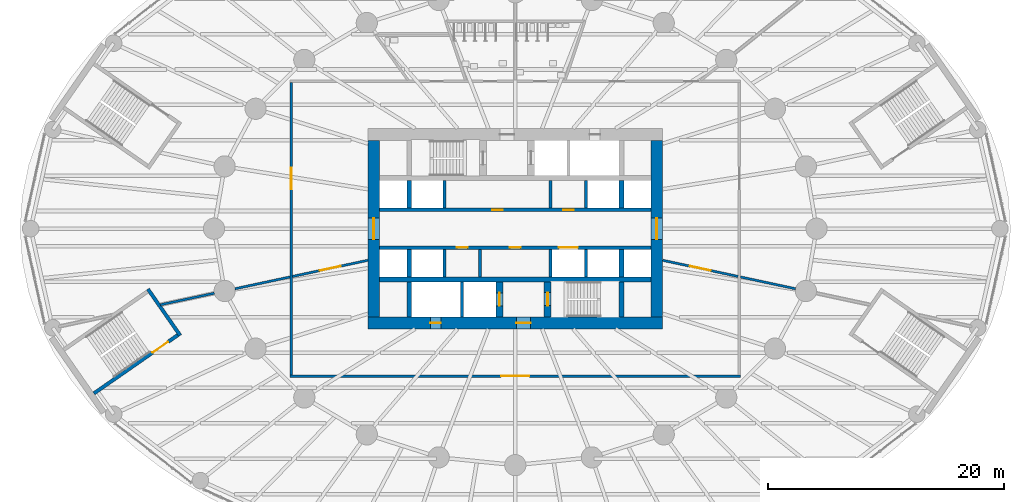
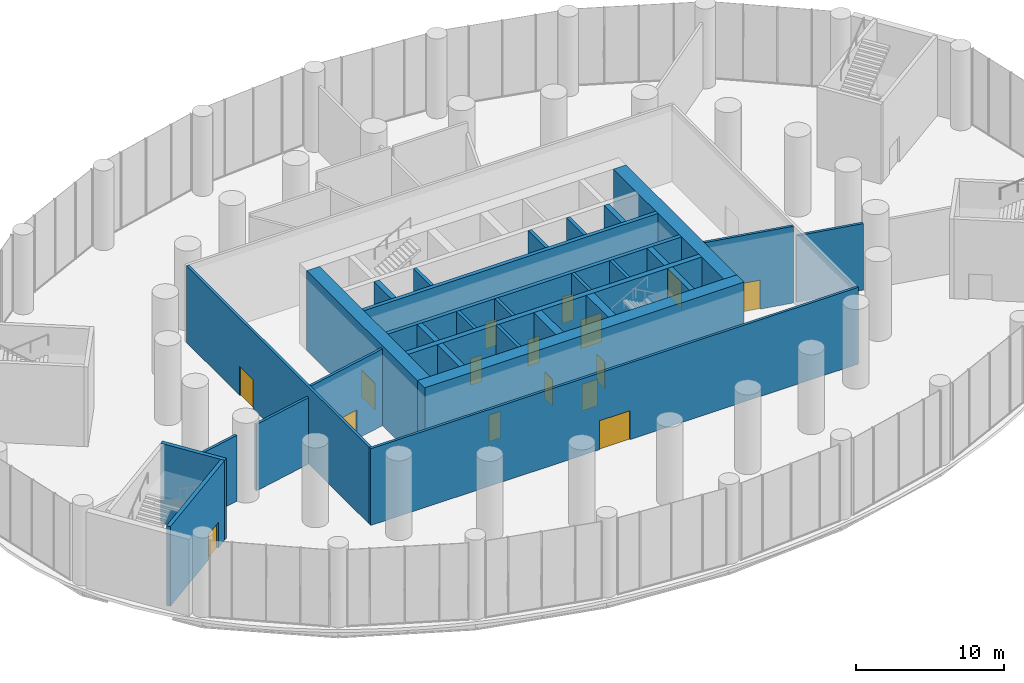
# One storey, part 16 of 22: 31 walls, 16 doors, 16 openings.
"""IFC4 building model written with IfcOpenShell, lengths in metres."""

from ifc_helpers import new_model, si_unit, direction, frame, frame_2d, origin, place, context, subcontext, project, spatial, rectangle, extrude, material, layer, layer_set, type_object, element, fill, save


model = new_model("IFC4")

# Units and contexts
model_context = context("Model", 3, precision=1e-05, world=origin(), true_north=direction((0.0, 1.0)))
body_context = subcontext(model_context, "Body", "Model", "MODEL_VIEW")
ifc_project = project(units=[si_unit("LENGTHUNIT", "METRE"), si_unit("AREAUNIT", "SQUARE_METRE"), si_unit("VOLUMEUNIT", "CUBIC_METRE"), si_unit("PLANEANGLEUNIT", "RADIAN"), si_unit("MASSUNIT", "GRAM", prefix="KILO")], contexts=[model_context])

# Site, building, storey
site_placement = place(None, origin())
site = spatial("IfcSite", under=ifc_project, at=site_placement, CompositionType="ELEMENT")
building_placement = place(site_placement, origin())
building = spatial("IfcBuilding", under=site, at=building_placement, Name="Hankou Lantern Tower", CompositionType="ELEMENT")
storey_placement = place(building_placement, frame((0.0, 0.0, 7.199951171875)))
storey = spatial("IfcBuildingStorey", under=building, at=storey_placement, Name="L01", CompositionType="ELEMENT", Elevation=7.199951171875)

# Wall, openings, doors
ifc_material_1 = material(Name="Concrete C60", Category="concrete")
ifc_layer_1 = layer(ifc_material_1, 1.0)
ifc_layer_set_1 = layer_set([ifc_layer_1], Name="Concrete C60")
wall_type_1 = type_object("IfcWallType", Name="CW1 CORE WALL 1000", PredefinedType="SHEAR", material=ifc_layer_set_1)
wall_1_placement = place(storey_placement, frame((12.5, -8.0, 0.0), z_axis=(0.0, 0.0, 1.0), x_axis=(-1.0, 0.0, 0.0)))
wall_1 = element("IfcWall", 1, at=wall_1_placement, inside=storey, type_object=wall_type_1, Name="Core wall south L01", PredefinedType="SHEAR", context=body_context, shape_type="SweptSolid", body=[
    extrude(rectangle(XDim=25.0, YDim=1.0, at=frame_2d((12.5, 0.0))), origin(), (0.0, 0.0, 1.0), 6.60009765625),
])
opening_1_placement = place(wall_1_placement, frame((11.199951171875, 0.0, 0.0)))
opening_1 = element("IfcOpeningElement", 2, at=opening_1_placement, cuts=wall_1, Name="Opening D5", PredefinedType="OPENING", context=body_context, shape_type="SweptSolid", body=[
    extrude(rectangle(XDim=1.199951171875, YDim=2.199951171875, at=frame_2d((0.60009765625, 1.10009765625))), frame((0.0, 0.510009765625, 0.0), z_axis=(0.0, -1.0, 0.0), x_axis=(1.0, 0.0, 0.0)), (0.0, 0.0, 1.0), 1.02001953125),
])
opening_2_placement = place(wall_1_placement, frame((18.800048828125, 0.0, 0.0)))
opening_2 = element("IfcOpeningElement", 3, at=opening_2_placement, cuts=wall_1, Name="Opening D7", PredefinedType="OPENING", context=body_context, shape_type="SweptSolid", body=[
    extrude(rectangle(XDim=0.89990234375, YDim=2.199951171875, at=frame_2d((0.449951171875, 1.10009765625))), frame((0.0, 0.510009765625, 0.0), z_axis=(0.0, -1.0, 0.0), x_axis=(1.0, 0.0, 0.0)), (0.0, 0.0, 1.0), 1.02001953125),
])
ifc_material_2 = material(Name="Steel door leaf", Category="steel")
door_type_1 = type_object("IfcDoorType", Name="D5 STAIR LOBBY DOOR 1200X2200", OperationType="SINGLE_SWING_LEFT", PredefinedType="DOOR", material=ifc_material_2)
door_1_placement = place(opening_1_placement, origin())
door_1 = element("IfcDoor", 4, at=door_1_placement, inside=storey, type_object=door_type_1, Name="Stair B lobby door", OperationType="SINGLE_SWING_LEFT", OverallHeight=2.199951171875, OverallWidth=1.199951171875, PredefinedType="DOOR", context=body_context, shape_type="SweptSolid", body=[
    extrude(rectangle(XDim=1.199951171875, YDim=2.199951171875, at=frame_2d((0.60009765625, 1.10009765625))), frame((0.0, 0.02490234375, 0.0), z_axis=(0.0, -1.0, 0.0), x_axis=(1.0, 0.0, 0.0)), (0.0, 0.0, 1.0), 0.050048828125),
])
fill(opening_1, door_1)
ifc_material_3 = material(Name="Steel door leaf", Category="steel")
door_type_2 = type_object("IfcDoorType", Name="D7 RISER DOOR 900X2200", OperationType="SINGLE_SWING_LEFT", PredefinedType="DOOR", material=ifc_material_3)
door_2_placement = place(opening_2_placement, origin())
door_2 = element("IfcDoor", 5, at=door_2_placement, inside=storey, type_object=door_type_2, Name="Riser S1 door", OperationType="SINGLE_SWING_RIGHT", OverallHeight=2.199951171875, OverallWidth=0.89990234375, PredefinedType="DOOR", context=body_context, shape_type="SweptSolid", body=[
    extrude(rectangle(XDim=0.89990234375, YDim=2.199951171875, at=frame_2d((0.449951171875, 1.10009765625))), frame((0.0, 0.02490234375, 0.0), z_axis=(0.0, -1.0, 0.0), x_axis=(1.0, 0.0, 0.0)), (0.0, 0.0, 1.0), 0.050048828125),
])
fill(opening_2, door_2)

# Wall, opening, door
wall_2_placement = place(storey_placement, frame((12.0, -7.5, 0.0), z_axis=(0.0, 0.0, 1.0), x_axis=(0.0, 1.0, 0.0)))
wall_2 = element("IfcWall", 6, at=wall_2_placement, inside=storey, type_object=wall_type_1, Name="Core wall east L01", PredefinedType="SHEAR", context=body_context, shape_type="SweptSolid", body=[
    extrude(rectangle(XDim=15.0, YDim=1.0, at=frame_2d((7.5, 0.0))), origin(), (0.0, 0.0, 1.0), 6.60009765625),
])
opening_3_placement = place(wall_2_placement, frame((6.60009765625, 0.0, 0.0)))
opening_3 = element("IfcOpeningElement", 7, at=opening_3_placement, cuts=wall_2, Name="Opening D6", PredefinedType="OPENING", context=body_context, shape_type="SweptSolid", body=[
    extrude(rectangle(XDim=1.800048828125, YDim=2.199951171875, at=frame_2d((0.89990234375, 1.10009765625))), frame((0.0, 0.510009765625, 0.0), z_axis=(0.0, -1.0, 0.0), x_axis=(1.0, 0.0, 0.0)), (0.0, 0.0, 1.0), 1.02001953125),
])
ifc_material_4 = material(Name="Steel door leaf", Category="steel")
door_type_3 = type_object("IfcDoorType", Name="D6 LIFT LOBBY DOOR 1800X2200", OperationType="DOUBLE_DOOR_DOUBLE_SWING", PredefinedType="DOOR", material=ifc_material_4)
door_3_placement = place(opening_3_placement, origin())
door_3 = element("IfcDoor", 8, at=door_3_placement, inside=storey, type_object=door_type_3, Name="Lift lobby east door", OperationType="DOUBLE_DOOR_DOUBLE_SWING", OverallHeight=2.199951171875, OverallWidth=1.800048828125, PredefinedType="DOOR", context=body_context, shape_type="SweptSolid", body=[
    extrude(rectangle(XDim=1.800048828125, YDim=2.199951171875, at=frame_2d((0.89990234375, 1.10009765625))), frame((0.0, 0.02490234375, 0.0), z_axis=(0.0, -1.0, 0.0), x_axis=(1.0, 0.0, 0.0)), (0.0, 0.0, 1.0), 0.050048828125),
])
fill(opening_3, door_3)

wall_3_placement = place(storey_placement, frame((-12.0, 7.5, 0.0), z_axis=(0.0, 0.0, 1.0), x_axis=(0.0, -1.0, 0.0)))
wall_3 = element("IfcWall", 9, at=wall_3_placement, inside=storey, type_object=wall_type_1, Name="Core wall west L01", PredefinedType="SHEAR", context=body_context, shape_type="SweptSolid", body=[
    extrude(rectangle(XDim=15.0, YDim=1.0, at=frame_2d((7.5, 0.0))), origin(), (0.0, 0.0, 1.0), 6.60009765625),
])
opening_4_placement = place(wall_3_placement, frame((6.60009765625, 0.0, 0.0)))
opening_4 = element("IfcOpeningElement", 10, at=opening_4_placement, cuts=wall_3, Name="Opening D6", PredefinedType="OPENING", context=body_context, shape_type="SweptSolid", body=[
    extrude(rectangle(XDim=1.800048828125, YDim=2.199951171875, at=frame_2d((0.89990234375, 1.10009765625))), frame((0.0, 0.510009765625, 0.0), z_axis=(0.0, -1.0, 0.0), x_axis=(1.0, 0.0, 0.0)), (0.0, 0.0, 1.0), 1.02001953125),
])
door_4_placement = place(opening_4_placement, origin())
door_4 = element("IfcDoor", 11, at=door_4_placement, inside=storey, type_object=door_type_3, Name="Lift lobby west door", OperationType="DOUBLE_DOOR_DOUBLE_SWING", OverallHeight=2.199951171875, OverallWidth=1.800048828125, PredefinedType="DOOR", context=body_context, shape_type="SweptSolid", body=[
    extrude(rectangle(XDim=1.800048828125, YDim=2.199951171875, at=frame_2d((0.89990234375, 1.10009765625))), frame((0.0, 0.02490234375, 0.0), z_axis=(0.0, -1.0, 0.0), x_axis=(1.0, 0.0, 0.0)), (0.0, 0.0, 1.0), 0.050048828125),
])
fill(opening_4, door_4)

# Walls
ifc_material_5 = material(Name="Concrete C60", Category="concrete")
ifc_layer_2 = layer(ifc_material_5, 0.39990234375)
ifc_layer_set_2 = layer_set([ifc_layer_2], Name="Concrete C60")
wall_type_2 = type_object("IfcWallType", Name="CW4 CORE CROSS WALL 400", PredefinedType="SHEAR", material=ifc_layer_set_2)
wall_4_placement = place(storey_placement, frame((-11.5, -4.300048828125, 0.0), z_axis=(0.0, 0.0, 1.0), x_axis=(1.0, 0.0, 0.0)))
element("IfcWall", 12, at=wall_4_placement, inside=storey, type_object=wall_type_2, Name="Core band wall south L01", PredefinedType="SHEAR", context=body_context, shape_type="SweptSolid", body=[
    extrude(rectangle(XDim=23.0, YDim=0.39990234375, at=frame_2d((11.5, 0.0))), origin(), (0.0, 0.0, 1.0), 6.60009765625),
])
for number, where, z_axis, x_axis, name in (
    (13, (-9.0, 1.75, 0.0), (0.0, 0.0, 1.0), (0.0, 1.0, 0.0), "Core strip wall L01"),
    (14, (-9.0, -4.10009765625, 0.0), (0.0, 0.0, 1.0), (0.0, 1.0, 0.0), "Core strip wall L01"),
):
    element("IfcWall", number, at=place(storey_placement, frame(where, z_axis=z_axis, x_axis=x_axis)), inside=storey, type_object=wall_type_2, Name=name, PredefinedType="SHEAR", context=body_context, shape_type="SweptSolid", body=[
        extrude(rectangle(XDim=2.35009765625, YDim=0.39990234375, at=frame_2d((1.175048828125, 0.0))), origin(), (0.0, 0.0, 1.0), 6.60009765625),
    ])
wall_5_placement = place(storey_placement, frame((-9.0, -7.5, 0.0), z_axis=(0.0, 0.0, 1.0), x_axis=(0.0, 1.0, 0.0)))
element("IfcWall", 15, at=wall_5_placement, inside=storey, type_object=wall_type_2, Name="Core strip wall L01", PredefinedType="SHEAR", context=body_context, shape_type="SweptSolid", body=[
    extrude(rectangle(XDim=3.0, YDim=0.39990234375, at=frame_2d((1.5, 0.0))), origin(), (0.0, 0.0, 1.0), 6.60009765625),
])
for number, where, z_axis, x_axis, name in (
    (16, (9.0, 1.75, 0.0), (0.0, 0.0, 1.0), (0.0, 1.0, 0.0), "Core strip wall L01"),
    (17, (9.0, -4.10009765625, 0.0), (0.0, 0.0, 1.0), (0.0, 1.0, 0.0), "Core strip wall L01"),
):
    element("IfcWall", number, at=place(storey_placement, frame(where, z_axis=z_axis, x_axis=x_axis)), inside=storey, type_object=wall_type_2, Name=name, PredefinedType="SHEAR", context=body_context, shape_type="SweptSolid", body=[
        extrude(rectangle(XDim=2.35009765625, YDim=0.39990234375, at=frame_2d((1.175048828125, 0.0))), origin(), (0.0, 0.0, 1.0), 6.60009765625),
    ])
wall_6_placement = place(storey_placement, frame((9.0, -7.5, 0.0), z_axis=(0.0, 0.0, 1.0), x_axis=(0.0, 1.0, 0.0)))
element("IfcWall", 18, at=wall_6_placement, inside=storey, type_object=wall_type_2, Name="Core strip wall L01", PredefinedType="SHEAR", context=body_context, shape_type="SweptSolid", body=[
    extrude(rectangle(XDim=3.0, YDim=0.39990234375, at=frame_2d((1.5, 0.0))), origin(), (0.0, 0.0, 1.0), 6.60009765625),
])

# Wall, openings, doors
ifc_material_6 = material(Name="Concrete C60", Category="concrete")
ifc_layer_3 = layer(ifc_material_6, 0.300048828125)
ifc_layer_set_3 = layer_set([ifc_layer_3], Name="Concrete C60")
wall_type_3 = type_object("IfcWallType", Name="CW5 LIFT LOBBY WALL 300", PredefinedType="SHEAR", material=ifc_layer_set_3)
wall_7_placement = place(storey_placement, frame((-11.5, 1.60009765625, 0.0), z_axis=(0.0, 0.0, 1.0), x_axis=(1.0, 0.0, 0.0)))
wall_7 = element("IfcWall", 19, at=wall_7_placement, inside=storey, type_object=wall_type_3, Name="Lift lobby wall north L01", PredefinedType="SHEAR", context=body_context, shape_type="SweptSolid", body=[
    extrude(rectangle(XDim=23.0, YDim=0.300048828125, at=frame_2d((11.5, 0.0))), origin(), (0.0, 0.0, 1.0), 6.60009765625),
])
opening_5_placement = place(wall_7_placement, frame((9.550048828125, 0.0, 0.0)))
opening_5 = element("IfcOpeningElement", 20, at=opening_5_placement, cuts=wall_7, Name="Opening D30", PredefinedType="OPENING", context=body_context, shape_type="SweptSolid", body=[
    extrude(rectangle(XDim=0.89990234375, YDim=2.199951171875, at=frame_2d((0.449951171875, 1.10009765625))), frame((0.0, 0.159912109375, 0.0), z_axis=(0.0, -1.0, 0.0), x_axis=(1.0, 0.0, 0.0)), (0.0, 0.0, 1.0), 0.320068359375),
])
opening_6_placement = place(wall_7_placement, frame((15.550048828125, 0.0, 0.0)))
opening_6 = element("IfcOpeningElement", 21, at=opening_6_placement, cuts=wall_7, Name="Opening D30", PredefinedType="OPENING", context=body_context, shape_type="SweptSolid", body=[
    extrude(rectangle(XDim=0.89990234375, YDim=2.199951171875, at=frame_2d((0.449951171875, 1.10009765625))), frame((0.0, 0.159912109375, 0.0), z_axis=(0.0, -1.0, 0.0), x_axis=(1.0, 0.0, 0.0)), (0.0, 0.0, 1.0), 0.320068359375),
])
ifc_material_7 = material(Name="Steel door leaf", Category="steel")
door_type_4 = type_object("IfcDoorType", Name="D30 CORE ROOM DOOR 900X2200", OperationType="SINGLE_SWING_LEFT", PredefinedType="DOOR", material=ifc_material_7)
door_5_placement = place(opening_5_placement, origin())
door_5 = element("IfcDoor", 22, at=door_5_placement, inside=storey, type_object=door_type_4, Name="Engineering store door", OperationType="SINGLE_SWING_LEFT", OverallHeight=2.199951171875, OverallWidth=0.89990234375, PredefinedType="DOOR", context=body_context, shape_type="SweptSolid", body=[
    extrude(rectangle(XDim=0.89990234375, YDim=2.199951171875, at=frame_2d((0.449951171875, 1.10009765625))), frame((0.0, 0.02490234375, 0.0), z_axis=(0.0, -1.0, 0.0), x_axis=(1.0, 0.0, 0.0)), (0.0, 0.0, 1.0), 0.050048828125),
])
fill(opening_5, door_5)
door_6_placement = place(opening_6_placement, origin())
door_6 = element("IfcDoor", 23, at=door_6_placement, inside=storey, type_object=door_type_4, Name="Banqueting store door", OperationType="SINGLE_SWING_RIGHT", OverallHeight=2.199951171875, OverallWidth=0.89990234375, PredefinedType="DOOR", context=body_context, shape_type="SweptSolid", body=[
    extrude(rectangle(XDim=0.89990234375, YDim=2.199951171875, at=frame_2d((0.449951171875, 1.10009765625))), frame((0.0, 0.02490234375, 0.0), z_axis=(0.0, -1.0, 0.0), x_axis=(1.0, 0.0, 0.0)), (0.0, 0.0, 1.0), 0.050048828125),
])
fill(opening_6, door_6)

wall_8_placement = place(storey_placement, frame((-11.5, -1.60009765625, 0.0), z_axis=(0.0, 0.0, 1.0), x_axis=(1.0, 0.0, 0.0)))
wall_8 = element("IfcWall", 24, at=wall_8_placement, inside=storey, type_object=wall_type_3, Name="Lift lobby wall south L01", PredefinedType="SHEAR", context=body_context, shape_type="SweptSolid", body=[
    extrude(rectangle(XDim=23.0, YDim=0.300048828125, at=frame_2d((11.5, 0.0))), origin(), (0.0, 0.0, 1.0), 6.60009765625),
])
opening_7_placement = place(wall_8_placement, frame((15.199951171875, 0.0, 0.0)))
opening_7 = element("IfcOpeningElement", 25, at=opening_7_placement, cuts=wall_8, Name="Opening LD4", PredefinedType="OPENING", context=body_context, shape_type="SweptSolid", body=[
    extrude(rectangle(XDim=1.60009765625, YDim=2.39990234375, at=frame_2d((0.800048828125, 1.199951171875))), frame((0.0, 0.159912109375, 0.0), z_axis=(0.0, -1.0, 0.0), x_axis=(1.0, 0.0, 0.0)), (0.0, 0.0, 1.0), 0.320068359375),
])
opening_8_placement = place(wall_8_placement, frame((6.550048828125, 0.0, 0.0)))
opening_8 = element("IfcOpeningElement", 26, at=opening_8_placement, cuts=wall_8, Name="Opening D30", PredefinedType="OPENING", context=body_context, shape_type="SweptSolid", body=[
    extrude(rectangle(XDim=0.89990234375, YDim=2.199951171875, at=frame_2d((0.449951171875, 1.10009765625))), frame((0.0, 0.159912109375, 0.0), z_axis=(0.0, -1.0, 0.0), x_axis=(1.0, 0.0, 0.0)), (0.0, 0.0, 1.0), 0.320068359375),
])
opening_9_placement = place(wall_8_placement, frame((11.050048828125, 0.0, 0.0)))
opening_9 = element("IfcOpeningElement", 27, at=opening_9_placement, cuts=wall_8, Name="Opening D30", PredefinedType="OPENING", context=body_context, shape_type="SweptSolid", body=[
    extrude(rectangle(XDim=0.89990234375, YDim=2.199951171875, at=frame_2d((0.449951171875, 1.10009765625))), frame((0.0, 0.159912109375, 0.0), z_axis=(0.0, -1.0, 0.0), x_axis=(1.0, 0.0, 0.0)), (0.0, 0.0, 1.0), 0.320068359375),
])
door_7_placement = place(opening_8_placement, origin())
door_7 = element("IfcDoor", 28, at=door_7_placement, inside=storey, type_object=door_type_4, Name="AV and furniture store door", OperationType="SINGLE_SWING_LEFT", OverallHeight=2.199951171875, OverallWidth=0.89990234375, PredefinedType="DOOR", context=body_context, shape_type="SweptSolid", body=[
    extrude(rectangle(XDim=0.89990234375, YDim=2.199951171875, at=frame_2d((0.449951171875, 1.10009765625))), frame((0.0, 0.02490234375, 0.0), z_axis=(0.0, -1.0, 0.0), x_axis=(1.0, 0.0, 0.0)), (0.0, 0.0, 1.0), 0.050048828125),
])
fill(opening_8, door_7)
door_8_placement = place(opening_9_placement, origin())
door_8 = element("IfcDoor", 29, at=door_8_placement, inside=storey, type_object=door_type_4, Name="Spa linen store door", OperationType="SINGLE_SWING_LEFT", OverallHeight=2.199951171875, OverallWidth=0.89990234375, PredefinedType="DOOR", context=body_context, shape_type="SweptSolid", body=[
    extrude(rectangle(XDim=0.89990234375, YDim=2.199951171875, at=frame_2d((0.449951171875, 1.10009765625))), frame((0.0, 0.02490234375, 0.0), z_axis=(0.0, -1.0, 0.0), x_axis=(1.0, 0.0, 0.0)), (0.0, 0.0, 1.0), 0.050048828125),
])
fill(opening_9, door_8)
ifc_material_8 = material(Name="Steel door leaf", Category="steel")
door_type_5 = type_object("IfcDoorType", Name="LD4 SERVICE LIFT LANDING DOOR 1600X2400", OperationType="DOUBLE_DOOR_SLIDING", PredefinedType="DOOR", material=ifc_material_8)
door_9_placement = place(opening_7_placement, origin())
door_9 = element("IfcDoor", 30, at=door_9_placement, inside=storey, type_object=door_type_5, Name="Lift SV1 landing door", OperationType="DOUBLE_DOOR_SLIDING", OverallHeight=2.39990234375, OverallWidth=1.60009765625, PredefinedType="DOOR", context=body_context, shape_type="SweptSolid", body=[
    extrude(rectangle(XDim=1.60009765625, YDim=2.39990234375, at=frame_2d((0.800048828125, 1.199951171875))), frame((0.0, 0.02490234375, 0.0), z_axis=(0.0, -1.0, 0.0), x_axis=(1.0, 0.0, 0.0)), (0.0, 0.0, 1.0), 0.050048828125),
])
fill(opening_7, door_9)

# Wall, opening, door
ifc_material_9 = material(Name="Concrete C60", Category="concrete")
ifc_layer_4 = layer(ifc_material_9, 0.60009765625)
ifc_layer_set_4 = layer_set([ifc_layer_4], Name="Concrete C60")
wall_type_4 = type_object("IfcWallType", Name="CW6 STAIR AND SHAFT WALL 600", PredefinedType="SHEAR", material=ifc_layer_set_4)
wall_9_placement = place(storey_placement, frame((2.75, -7.5, 0.0), z_axis=(0.0, 0.0, 1.0), x_axis=(0.0, 1.0, 0.0)))
wall_9 = element("IfcWall", 31, at=wall_9_placement, inside=storey, type_object=wall_type_4, Name="Stair wall L01", PredefinedType="SHEAR", context=body_context, shape_type="SweptSolid", body=[
    extrude(rectangle(XDim=3.0, YDim=0.60009765625, at=frame_2d((1.5, 0.0))), origin(), (0.0, 0.0, 1.0), 6.60009765625),
])
opening_10_placement = place(wall_9_placement, frame((0.97509765625, 0.0, 0.0)))
opening_10 = element("IfcOpeningElement", 32, at=opening_10_placement, cuts=wall_9, Name="Opening D4", PredefinedType="OPENING", context=body_context, shape_type="SweptSolid", body=[
    extrude(rectangle(XDim=1.10009765625, YDim=2.199951171875, at=frame_2d((0.550048828125, 1.10009765625))), frame((0.0, 0.31005859375, 0.0), z_axis=(0.0, -1.0, 0.0), x_axis=(1.0, 0.0, 0.0)), (0.0, 0.0, 1.0), 0.6201171875),
])
ifc_material_10 = material(Name="Steel door leaf", Category="steel")
door_type_6 = type_object("IfcDoorType", Name="D4 STAIR DOOR 1100X2200", OperationType="SINGLE_SWING_LEFT", PredefinedType="DOOR", material=ifc_material_10)
door_10_placement = place(opening_10_placement, origin())
door_10 = element("IfcDoor", 33, at=door_10_placement, inside=storey, type_object=door_type_6, Name="Stair B door", OperationType="SINGLE_SWING_RIGHT", OverallHeight=2.199951171875, OverallWidth=1.10009765625, PredefinedType="DOOR", context=body_context, shape_type="SweptSolid", body=[
    extrude(rectangle(XDim=1.10009765625, YDim=2.199951171875, at=frame_2d((0.550048828125, 1.10009765625))), frame((0.0, 0.02490234375, 0.0), z_axis=(0.0, -1.0, 0.0), x_axis=(1.0, 0.0, 0.0)), (0.0, 0.0, 1.0), 0.050048828125),
])
fill(opening_10, door_10)

wall_10_placement = place(storey_placement, frame((-1.35009765625, -7.5, 0.0), z_axis=(0.0, 0.0, 1.0), x_axis=(0.0, 1.0, 0.0)))
wall_10 = element("IfcWall", 34, at=wall_10_placement, inside=storey, type_object=wall_type_4, Name="Firefighting lift shaft wall L01", PredefinedType="SHEAR", context=body_context, shape_type="SweptSolid", body=[
    extrude(rectangle(XDim=3.0, YDim=0.60009765625, at=frame_2d((1.5, 0.0))), origin(), (0.0, 0.0, 1.0), 6.60009765625),
])
opening_11_placement = place(wall_10_placement, frame((0.949951171875, 0.0, 0.0)))
opening_11 = element("IfcOpeningElement", 35, at=opening_11_placement, cuts=wall_10, Name="Opening LD2", PredefinedType="OPENING", context=body_context, shape_type="SweptSolid", body=[
    extrude(rectangle(XDim=1.10009765625, YDim=2.199951171875, at=frame_2d((0.550048828125, 1.10009765625))), frame((0.0, 0.31005859375, 0.0), z_axis=(0.0, -1.0, 0.0), x_axis=(1.0, 0.0, 0.0)), (0.0, 0.0, 1.0), 0.6201171875),
])
ifc_material_11 = material(Name="Steel door leaf", Category="steel")
door_type_7 = type_object("IfcDoorType", Name="LD2 FIREFIGHTING LIFT LANDING DOOR 1100X2200", OperationType="DOUBLE_DOOR_SLIDING", PredefinedType="DOOR", material=ifc_material_11)
door_11_placement = place(opening_11_placement, origin())
door_11 = element("IfcDoor", 36, at=door_11_placement, inside=storey, type_object=door_type_7, Name="Firefighting lift FL2 landing door", OperationType="DOUBLE_DOOR_SLIDING", OverallHeight=2.199951171875, OverallWidth=1.10009765625, PredefinedType="DOOR", context=body_context, shape_type="SweptSolid", body=[
    extrude(rectangle(XDim=1.10009765625, YDim=2.199951171875, at=frame_2d((0.550048828125, 1.10009765625))), frame((0.0, 0.02490234375, 0.0), z_axis=(0.0, -1.0, 0.0), x_axis=(1.0, 0.0, 0.0)), (0.0, 0.0, 1.0), 0.050048828125),
])
fill(opening_11, door_11)

ifc_material_12 = material(Name="Concrete C50", Category="concrete")
ifc_layer_5 = layer(ifc_material_12, 0.300048828125)
ifc_layer_set_5 = layer_set([ifc_layer_5], Name="Concrete C50")
wall_type_5 = type_object("IfcWallType", Name="CW7 PODIUM STAIR WALL 300", PredefinedType="SHEAR", material=ifc_layer_set_5)
wall_11_placement = place(storey_placement, frame((-35.7294921875, -13.968017578125, 0.0), z_axis=(0.0, 0.0, 1.0), x_axis=(0.82092761123, 0.571032273274, 0.0)))
wall_11 = element("IfcWall", 37, at=wall_11_placement, inside=storey, type_object=wall_type_5, Name="Podium stair P3 wall", PredefinedType="SHEAR", context=body_context, shape_type="SweptSolid", body=[
    extrude(rectangle(XDim=8.659912109375, YDim=0.300048828125, at=frame_2d((4.330078125, 0.0))), origin(), (0.0, 0.0, 1.0), 6.60009765625),
])
opening_12_placement = place(wall_11_placement, frame((6.050048828125, 0.0, 0.0)))
opening_12 = element("IfcOpeningElement", 38, at=opening_12_placement, cuts=wall_11, Name="Opening D16", PredefinedType="OPENING", context=body_context, shape_type="SweptSolid", body=[
    extrude(rectangle(XDim=1.60009765625, YDim=2.10009765625, at=frame_2d((0.800048828125, 1.050048828125))), frame((0.0, 0.159912109375, 0.0), z_axis=(0.0, -1.0, 0.0), x_axis=(1.0, 0.0, 0.0)), (0.0, 0.0, 1.0), 0.320068359375),
])
ifc_material_13 = material(Name="Steel door leaf", Category="steel")
door_type_8 = type_object("IfcDoorType", Name="D16 PODIUM STAIR DOOR 1600X2100", OperationType="SINGLE_SWING_LEFT", PredefinedType="DOOR", material=ifc_material_13)
door_12_placement = place(opening_12_placement, origin())
door_12 = element("IfcDoor", 39, at=door_12_placement, inside=storey, type_object=door_type_8, Name="Podium stair P3 door", OperationType="SINGLE_SWING_RIGHT", OverallHeight=2.10009765625, OverallWidth=1.60009765625, PredefinedType="DOOR", context=body_context, shape_type="SweptSolid", body=[
    extrude(rectangle(XDim=1.60009765625, YDim=2.10009765625, at=frame_2d((0.800048828125, 1.050048828125))), frame((0.0, 0.02490234375, 0.0), z_axis=(0.0, -1.0, 0.0), x_axis=(1.0, 0.0, 0.0)), (0.0, 0.0, 1.0), 0.050048828125),
])
fill(opening_12, door_12)

# Walls
wall_12_placement = place(storey_placement, frame((-31.152587890625, -5.119873046875, 0.0), z_axis=(0.0, 0.0, 1.0), x_axis=(0.571036173178, -0.820924898467, 0.0)))
element("IfcWall", 40, at=wall_12_placement, inside=storey, type_object=wall_type_5, Name="Podium stair P3 wall", PredefinedType="SHEAR", context=body_context, shape_type="SweptSolid", body=[
    extrude(rectangle(XDim=4.800048828125, YDim=0.300048828125, at=frame_2d((2.39990234375, 0.0))), origin(), (0.0, 0.0, 1.0), 6.60009765625),
])
ifc_material_14 = material(Name="Masonry dense concrete block", Category="masonry")
ifc_layer_6 = layer(ifc_material_14, 0.199951171875)
ifc_layer_set_6 = layer_set([ifc_layer_6], Name="Masonry dense concrete block")
wall_type_6 = type_object("IfcWallType", Name="FW1 COMPARTMENT FIRE WALL 200", PredefinedType="PARTITIONING", material=ifc_layer_set_6)
wall_13_placement = place(storey_placement, frame((-19.10009765625, -4.09423828125, 0.0), z_axis=(0.0, 0.0, 1.0), x_axis=(-0.977784445586, -0.209612924148, 0.0)))
element("IfcWall", 41, at=wall_13_placement, inside=storey, type_object=wall_type_6, Name="Fire wall R14", PredefinedType="PARTITIONING", context=body_context, shape_type="SweptSolid", body=[
    extrude(rectangle(XDim=4.77294921875, YDim=0.199951171875, at=frame_2d((2.386474609375, 0.0))), origin(), (0.0, 0.0, 1.0), 5.5),
])
wall_14_placement = place(storey_placement, frame((-25.527099609375, -5.471923828125, 0.0), z_axis=(0.0, 0.0, 1.0), x_axis=(-0.977787143577, -0.209600338396, 0.0)))
element("IfcWall", 42, at=wall_14_placement, inside=storey, type_object=wall_type_6, Name="Fire wall R14", PredefinedType="PARTITIONING", context=body_context, shape_type="SweptSolid", body=[
    extrude(rectangle(XDim=4.68017578125, YDim=0.199951171875, at=frame_2d((2.340087890625, 0.0))), origin(), (0.0, 0.0, 1.0), 5.449951171875),
])
wall_15_placement = place(storey_placement, frame((19.10009765625, -4.09423828125, 0.0), z_axis=(0.0, 0.0, 1.0), x_axis=(0.977784445586, -0.209612924148, 0.0)))
element("IfcWall", 43, at=wall_15_placement, inside=storey, type_object=wall_type_6, Name="Fire wall R24", PredefinedType="PARTITIONING", context=body_context, shape_type="SweptSolid", body=[
    extrude(rectangle(XDim=4.77294921875, YDim=0.199951171875, at=frame_2d((2.386474609375, 0.0))), origin(), (0.0, 0.0, 1.0), 5.5),
])

# Wall, opening, door
wall_16_placement = place(storey_placement, frame((-18.89990234375, -4.051513671875, 0.0), z_axis=(0.0, 0.0, 1.0), x_axis=(0.977781666858, 0.2096258857, 0.0)))
wall_16 = element("IfcWall", 44, at=wall_16_placement, inside=storey, type_object=wall_type_6, Name="Fire wall R14 across the foyer", PredefinedType="PARTITIONING", context=body_context, shape_type="SweptSolid", body=[
    extrude(rectangle(XDim=6.54541015625, YDim=0.199951171875, at=frame_2d((3.272705078125, 0.0))), origin(), (0.0, 0.0, 1.0), 6.35009765625),
])
opening_13_placement = place(wall_16_placement, frame((2.373046875, 0.0, 0.0)))
opening_13 = element("IfcOpeningElement", 45, at=opening_13_placement, cuts=wall_16, Name="Opening D36", PredefinedType="OPENING", context=body_context, shape_type="SweptSolid", body=[
    extrude(rectangle(XDim=1.800048828125, YDim=2.39990234375, at=frame_2d((0.89990234375, 1.199951171875))), frame((0.0, 0.10986328125, 0.0), z_axis=(0.0, -1.0, 0.0), x_axis=(1.0, 0.0, 0.0)), (0.0, 0.0, 1.0), 0.219970703125),
])
ifc_material_15 = material(Name="Steel door leaf", Category="steel")
door_type_9 = type_object("IfcDoorType", Name="D36 CLASS A DOUBLE DOOR 1800X2400", OperationType="DOUBLE_DOOR_DOUBLE_SWING", PredefinedType="DOOR", material=ifc_material_15)
door_13_placement = place(opening_13_placement, origin())
door_13 = element("IfcDoor", 46, at=door_13_placement, inside=storey, type_object=door_type_9, Name="Fire wall R14 door", OperationType="DOUBLE_DOOR_DOUBLE_SWING", OverallHeight=2.39990234375, OverallWidth=1.800048828125, PredefinedType="DOOR", context=body_context, shape_type="SweptSolid", body=[
    extrude(rectangle(XDim=1.800048828125, YDim=2.39990234375, at=frame_2d((0.89990234375, 1.199951171875))), frame((0.0, 0.02490234375, 0.0), z_axis=(0.0, -1.0, 0.0), x_axis=(1.0, 0.0, 0.0)), (0.0, 0.0, 1.0), 0.050048828125),
])
fill(opening_13, door_13)

wall_17_placement = place(storey_placement, frame((18.89990234375, -4.051513671875, 0.0), z_axis=(0.0, 0.0, 1.0), x_axis=(-0.977781666858, 0.2096258857, 0.0)))
wall_17 = element("IfcWall", 47, at=wall_17_placement, inside=storey, type_object=wall_type_6, Name="Fire wall R24 across the foyer", PredefinedType="PARTITIONING", context=body_context, shape_type="SweptSolid", body=[
    extrude(rectangle(XDim=6.54541015625, YDim=0.199951171875, at=frame_2d((3.272705078125, 0.0))), origin(), (0.0, 0.0, 1.0), 6.35009765625),
])
opening_14_placement = place(wall_17_placement, frame((2.373046875, 0.0, 0.0)))
opening_14 = element("IfcOpeningElement", 48, at=opening_14_placement, cuts=wall_17, Name="Opening D36", PredefinedType="OPENING", context=body_context, shape_type="SweptSolid", body=[
    extrude(rectangle(XDim=1.800048828125, YDim=2.39990234375, at=frame_2d((0.89990234375, 1.199951171875))), frame((0.0, 0.10986328125, 0.0), z_axis=(0.0, -1.0, 0.0), x_axis=(1.0, 0.0, 0.0)), (0.0, 0.0, 1.0), 0.219970703125),
])
door_14_placement = place(opening_14_placement, origin())
door_14 = element("IfcDoor", 49, at=door_14_placement, inside=storey, type_object=door_type_9, Name="Fire wall R24 door", OperationType="DOUBLE_DOOR_DOUBLE_SWING", OverallHeight=2.39990234375, OverallWidth=1.800048828125, PredefinedType="DOOR", context=body_context, shape_type="SweptSolid", body=[
    extrude(rectangle(XDim=1.800048828125, YDim=2.39990234375, at=frame_2d((0.89990234375, 1.199951171875))), frame((0.0, 0.02490234375, 0.0), z_axis=(0.0, -1.0, 0.0), x_axis=(1.0, 0.0, 0.0)), (0.0, 0.0, 1.0), 0.050048828125),
])
fill(opening_14, door_14)

ifc_material_16 = material(Name="Masonry lightweight concrete block", Category="masonry")
ifc_layer_7 = layer(ifc_material_16, 0.199951171875)
ifc_layer_set_7 = layer_set([ifc_layer_7], Name="Masonry lightweight concrete block")
wall_type_7 = type_object("IfcWallType", Name="IW2 CORRIDOR WALL 200", PredefinedType="PARTITIONING", material=ifc_layer_set_7)
wall_18_placement = place(storey_placement, frame((19.10009765625, -12.5, 0.0), z_axis=(0.0, 0.0, 1.0), x_axis=(-1.0, 0.0, 0.0)))
wall_18 = element("IfcWall", 50, at=wall_18_placement, inside=storey, type_object=wall_type_7, Name="Foyer wall south", PredefinedType="PARTITIONING", context=body_context, shape_type="SweptSolid", body=[
    extrude(rectangle(XDim=38.2001953125, YDim=0.199951171875, at=frame_2d((19.10009765625, 0.0))), origin(), (0.0, 0.0, 1.0), 6.35009765625),
])
opening_15_placement = place(wall_18_placement, frame((17.89990234375, 0.0, 0.0)))
opening_15 = element("IfcOpeningElement", 51, at=opening_15_placement, cuts=wall_18, Name="Opening D25", PredefinedType="OPENING", context=body_context, shape_type="SweptSolid", body=[
    extrude(rectangle(XDim=2.39990234375, YDim=2.39990234375, at=frame_2d((1.199951171875, 1.199951171875))), frame((0.0, 0.10986328125, 0.0), z_axis=(0.0, -1.0, 0.0), x_axis=(1.0, 0.0, 0.0)), (0.0, 0.0, 1.0), 0.219970703125),
])
ifc_material_17 = material(Name="Steel door leaf", Category="steel")
door_type_10 = type_object("IfcDoorType", Name="D25 WIDE DOUBLE DOOR 2400X2400", OperationType="DOUBLE_DOOR_DOUBLE_SWING", PredefinedType="DOOR", material=ifc_material_17)
door_15_placement = place(opening_15_placement, origin())
door_15 = element("IfcDoor", 52, at=door_15_placement, inside=storey, type_object=door_type_10, Name="Banquet hall door", OperationType="DOUBLE_DOOR_DOUBLE_SWING", OverallHeight=2.39990234375, OverallWidth=2.39990234375, PredefinedType="DOOR", context=body_context, shape_type="SweptSolid", body=[
    extrude(rectangle(XDim=2.39990234375, YDim=2.39990234375, at=frame_2d((1.199951171875, 1.199951171875))), frame((0.0, 0.02490234375, 0.0), z_axis=(0.0, -1.0, 0.0), x_axis=(1.0, 0.0, 0.0)), (0.0, 0.0, 1.0), 0.050048828125),
])
fill(opening_15, door_15)

wall_19_placement = place(storey_placement, frame((-19.0, 12.39990234375, 0.0), z_axis=(0.0, 0.0, 1.0), x_axis=(0.0, -1.0, 0.0)))
wall_19 = element("IfcWall", 53, at=wall_19_placement, inside=storey, type_object=wall_type_7, Name="Foyer wall west", PredefinedType="PARTITIONING", context=body_context, shape_type="SweptSolid", body=[
    extrude(rectangle(XDim=24.7998046875, YDim=0.199951171875, at=frame_2d((12.39990234375, 0.0))), origin(), (0.0, 0.0, 1.0), 6.35009765625),
])
opening_16_placement = place(wall_19_placement, frame((7.2470703125, 0.0, 0.0)))
opening_16 = element("IfcOpeningElement", 54, at=opening_16_placement, cuts=wall_19, Name="Opening D8", PredefinedType="OPENING", context=body_context, shape_type="SweptSolid", body=[
    extrude(rectangle(XDim=1.800048828125, YDim=2.39990234375, at=frame_2d((0.89990234375, 1.199951171875))), frame((0.0, 0.10986328125, 0.0), z_axis=(0.0, -1.0, 0.0), x_axis=(1.0, 0.0, 0.0)), (0.0, 0.0, 1.0), 0.219970703125),
])
ifc_material_18 = material(Name="Steel door leaf", Category="steel")
door_type_11 = type_object("IfcDoorType", Name="D8 DOUBLE DOOR 1800X2400", OperationType="DOUBLE_DOOR_DOUBLE_SWING", PredefinedType="DOOR", material=ifc_material_18)
door_16_placement = place(opening_16_placement, origin())
door_16 = element("IfcDoor", 55, at=door_16_placement, inside=storey, type_object=door_type_11, Name="Function room door", OperationType="DOUBLE_DOOR_DOUBLE_SWING", OverallHeight=2.39990234375, OverallWidth=1.800048828125, PredefinedType="DOOR", context=body_context, shape_type="SweptSolid", body=[
    extrude(rectangle(XDim=1.800048828125, YDim=2.39990234375, at=frame_2d((0.89990234375, 1.199951171875))), frame((0.0, 0.02490234375, 0.0), z_axis=(0.0, -1.0, 0.0), x_axis=(1.0, 0.0, 0.0)), (0.0, 0.0, 1.0), 0.050048828125),
])
fill(opening_16, door_16)

# Walls
ifc_material_19 = material(Name="Masonry autoclaved aerated concrete block", Category="masonry")
ifc_layer_8 = layer(ifc_material_19, 0.25)
ifc_layer_set_8 = layer_set([ifc_layer_8], Name="Masonry autoclaved aerated concrete block")
wall_type_8 = type_object("IfcWallType", Name="SW1 SHAFT BLOCK WALL 250", PredefinedType="PARTITIONING", material=ifc_layer_set_8)
wall_20_placement = place(storey_placement, frame((-4.5, -7.5, 0.0), z_axis=(0.0, 0.0, 1.0), x_axis=(0.0, 1.0, 0.0)))
element("IfcWall", 56, at=wall_20_placement, inside=storey, type_object=wall_type_8, Name="Riser wall L01", PredefinedType="PARTITIONING", context=body_context, shape_type="SweptSolid", body=[
    extrude(rectangle(XDim=3.0, YDim=0.25, at=frame_2d((1.5, 0.0))), origin(), (0.0, 0.0, 1.0), 6.60009765625),
])
for number, where, z_axis, x_axis, name in (
    (57, (-6.0, 1.75, 0.0), (0.0, 0.0, 1.0), (0.0, 1.0, 0.0), "Lift shaft wall L01"),
    (58, (3.0, 1.75, 0.0), (0.0, 0.0, 1.0), (0.0, 1.0, 0.0), "Lift shaft wall L01"),
    (59, (6.0, 1.75, 0.0), (0.0, 0.0, 1.0), (0.0, 1.0, 0.0), "Lift shaft wall L01"),
    (60, (-6.0, -4.10009765625, 0.0), (0.0, 0.0, 1.0), (0.0, 1.0, 0.0), "Lift shaft wall L01"),
    (61, (-3.0, -4.10009765625, 0.0), (0.0, 0.0, 1.0), (0.0, 1.0, 0.0), "Lift shaft wall L01"),
    (62, (3.0, -4.10009765625, 0.0), (0.0, 0.0, 1.0), (0.0, 1.0, 0.0), "Lift shaft wall L01"),
    (63, (6.0, -4.10009765625, 0.0), (0.0, 0.0, 1.0), (0.0, 1.0, 0.0), "Lift shaft wall L01"),
):
    element("IfcWall", number, at=place(storey_placement, frame(where, z_axis=z_axis, x_axis=x_axis)), inside=storey, type_object=wall_type_8, Name=name, PredefinedType="PARTITIONING", context=body_context, shape_type="SweptSolid", body=[
        extrude(rectangle(XDim=2.35009765625, YDim=0.25, at=frame_2d((1.175048828125, 0.0))), origin(), (0.0, 0.0, 1.0), 6.60009765625),
    ])

save(model, "model.ifc")
